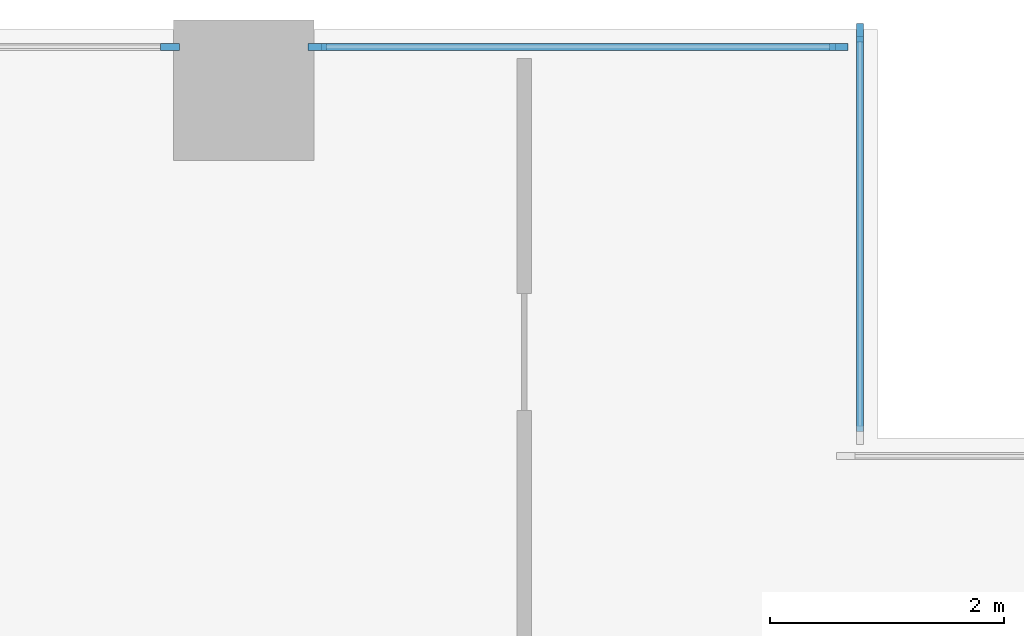
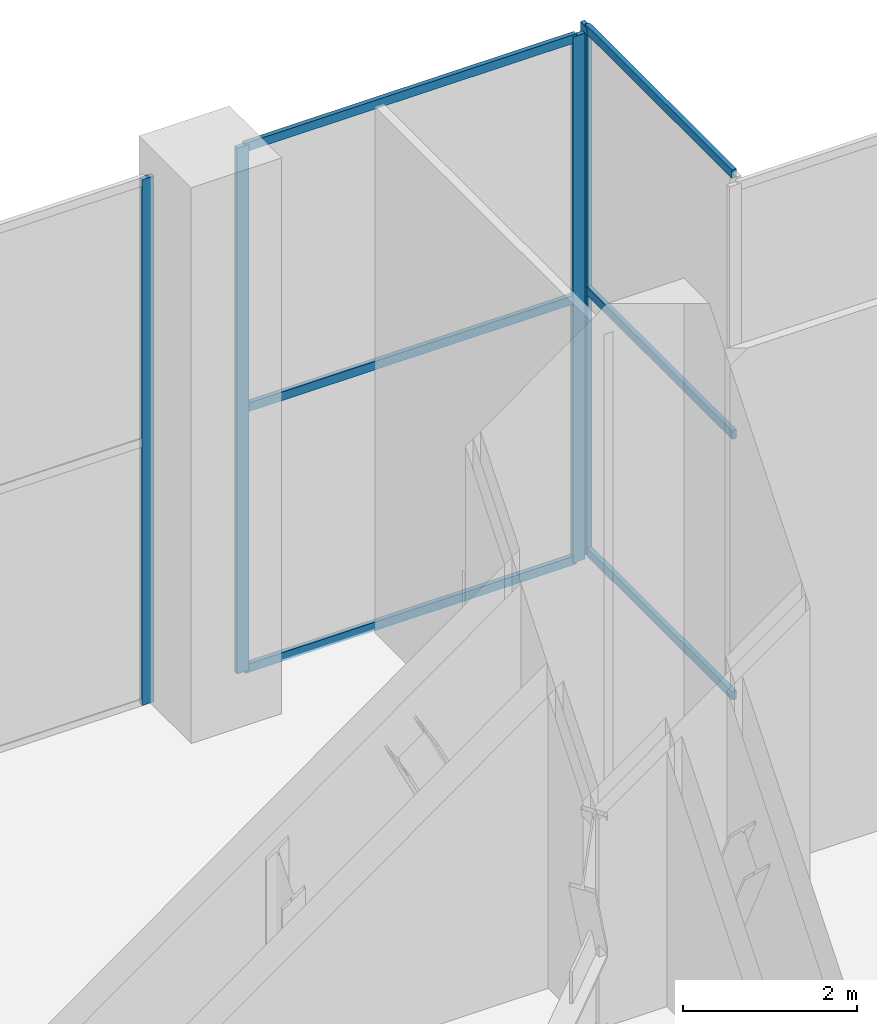
# One storey, part 10 of 21: 10 members, 3 elements without a shape of their own.
"""IFC4 building model written with IfcOpenShell, lengths in metres."""

import ifcopenshell
import ifcopenshell.guid

model = None  # the IFC model being written
_history = None  # IfcOwnerHistory: only IFC2X3 demands one
_inside = {}  # id of a spatial element -> (the spatial element, [elements in it])
_under = {}  # id of a project, library or spatial element -> (it, [spatial elements below it])
_declared = {}  # id of a project -> (the project, [libraries it declares])
_typed = {}  # id of a type object -> (the type object, [elements of that type])
_made_of = {}  # id of a material, layer set ... -> (it, [elements and type objects made of it])


def new_model(schema):
    """Start an empty IFC model of exactly this schema.

    Asked for "IFC4X3", IfcOpenShell would pick the latest addendum, in which some entities
    have other attributes; the version numbers below select the first issue.
    IFC2X3 requires an IfcOwnerHistory on every rooted entity: one is made here for all.
    """
    global model, _history
    if schema == "IFC4X3":
        model = ifcopenshell.file(schema_version=(4, 3, 0, 0))
    else:
        model = ifcopenshell.file(schema=schema)
    _inside.clear()
    _under.clear()
    _declared.clear()
    _typed.clear()
    _made_of.clear()
    _history = None
    if model.schema == "IFC2X3":
        org = make("IfcOrganization", Name="unknown")
        user = make(
            "IfcPersonAndOrganization",
            ThePerson=make("IfcPerson", FamilyName="unknown"),
            TheOrganization=org,
        )
        app = make(
            "IfcApplication",
            ApplicationDeveloper=org,
            Version="unknown",
            ApplicationFullName="unknown",
            ApplicationIdentifier="unknown",
        )
        _history = make(
            "IfcOwnerHistory",
            OwningUser=user,
            OwningApplication=app,
            ChangeAction="ADDED",
            CreationDate=0,
        )
    return model


def make(cls, **values):
    """One entity of the class cls with the attributes given. An attribute that is None is left unset."""
    return model.create_entity(
        cls, **{name: value for name, value in values.items() if value is not None}
    )


def rooted(cls, **values):
    """An entity with a GlobalId (a new one), such as an element, a storey or a relation."""
    return make(cls, GlobalId=ifcopenshell.guid.new(), OwnerHistory=_history, **values)


def si_unit(unit_type, name, prefix=None):
    """IfcSIUnit, for example si_unit("LENGTHUNIT", "METRE", prefix="MILLI")."""
    return make("IfcSIUnit", UnitType=unit_type, Prefix=prefix, Name=name)


def assignment(units):
    """IfcUnitAssignment: the units of a project."""
    return None if units is None else make("IfcUnitAssignment", Units=units)


def point(xyz):
    """IfcCartesianPoint."""
    return None if xyz is None else make("IfcCartesianPoint", Coordinates=xyz)


def direction(xyz):
    """IfcDirection."""
    return None if xyz is None else make("IfcDirection", DirectionRatios=xyz)


def frame(location, z_axis=None, x_axis=None):
    """IfcAxis2Placement3D, a coordinate frame: its origin and axes. An axis left out is left unset."""
    return make(
        "IfcAxis2Placement3D",
        Location=point(location),
        Axis=direction(z_axis),
        RefDirection=direction(x_axis),
    )


def frame_2d(location, x_axis=None):
    """IfcAxis2Placement2D, a coordinate frame in the plane: its origin and x axis."""
    return make(
        "IfcAxis2Placement2D", Location=point(location), RefDirection=direction(x_axis)
    )


def origin():
    """The frame at (0, 0, 0) with its axes left unset."""
    return frame((0.0, 0.0, 0.0))


def origin_2d():
    """The frame at (0, 0) in the plane with its x axis left unset."""
    return frame_2d((0.0, 0.0))


def place(relative_to, where):
    """IfcLocalPlacement: puts the frame where relative to a parent placement (None: the world)."""
    return make(
        "IfcLocalPlacement", PlacementRelTo=relative_to, RelativePlacement=where
    )


def context(
    kind, dimensions, precision=None, world=None, true_north=None, identifier=None
):
    """IfcGeometricRepresentationContext, for example the 3D "Model" context."""
    return make(
        "IfcGeometricRepresentationContext",
        ContextIdentifier=identifier,
        ContextType=kind,
        CoordinateSpaceDimension=dimensions,
        Precision=precision,
        WorldCoordinateSystem=world,
        TrueNorth=true_north,
    )


def subcontext(parent, identifier, kind, view, scale=None):
    """IfcGeometricRepresentationSubContext, for example "Body" below "Model"."""
    return make(
        "IfcGeometricRepresentationSubContext",
        ContextIdentifier=identifier,
        ContextType=kind,
        ParentContext=parent,
        TargetScale=scale,
        TargetView=view,
    )


def project(units=None, contexts=None):
    """IfcProject with its units and contexts."""
    return rooted(
        "IfcProject",
        Name="project",
        RepresentationContexts=contexts,
        UnitsInContext=assignment(units),
    )


def spatial(cls, under=None, at=None, **own):
    """A site, building, storey or space (cls), placed at a placement, below another one or the project."""
    s = rooted(cls, ObjectPlacement=at, **own)
    if under is not None:
        _under.setdefault(under.id(), (under, []))[1].append(s)
    return s


def profile(cls, at=None, kind="AREA", **sizes):
    """A parametric profile (cls). Its sizes go by their IFC names, for example OverallWidth=200.0."""
    return make(cls, ProfileType=kind, Position=at, **sizes)


def rectangle(**sizes):
    """IfcRectangleProfileDef."""
    return profile("IfcRectangleProfileDef", **sizes)


def extrude(swept, where, along, depth):
    """IfcExtrudedAreaSolid: the profile swept, set in the frame where, extruded along a direction by depth."""
    return make(
        "IfcExtrudedAreaSolid",
        SweptArea=swept,
        Position=where,
        ExtrudedDirection=direction(along),
        Depth=depth,
    )


def shape(context_of_items, identifier, shape_type, items):
    """IfcShapeRepresentation: the items that make up one representation, for example the "Body"."""
    return make(
        "IfcShapeRepresentation",
        ContextOfItems=context_of_items,
        RepresentationIdentifier=identifier,
        RepresentationType=shape_type,
        Items=items,
    )


def material(Name=None, Category=None):
    """IfcMaterial."""
    return make("IfcMaterial", Name=Name, Category=Category)


def material_profile(
    of_material, cross_section, Name=None, Category=None, Priority=None
):
    """IfcMaterialProfile: a cross section and its material."""
    return make(
        "IfcMaterialProfile",
        Name=Name,
        Material=of_material,
        Profile=cross_section,
        Priority=Priority,
        Category=Category,
    )


def profile_set(profiles, Name=None, composite=None):
    """IfcMaterialProfileSet."""
    return make(
        "IfcMaterialProfileSet",
        Name=Name,
        MaterialProfiles=profiles,
        CompositeProfile=composite,
    )


def made_of(thing, what):
    """Note that an element or type object is made of a material, layer set ...; save() writes the relation."""
    if what is not None:
        _made_of.setdefault(what.id(), (what, []))[1].append(thing)
    return thing


def type_object(cls, material=None, **own):
    """A type object (cls), such as IfcWallType, which elements share."""
    return made_of(rooted(cls, **own), material)


def element(
    cls,
    number,
    at=None,
    inside=None,
    cuts=None,
    type_object=None,
    material=None,
    context=None,
    identifier="Body",
    shape_type=None,
    held_by="IfcProductDefinitionShape",
    body=None,
    shapes=None,
    **own,
):
    """One element of the class cls, such as IfcWall. Its Tag is "e" and its number.

    at: its placement. inside: the storey or other place that contains it. cuts: it is an
    opening in that element (IfcRelVoidsElement). A single representation is given by context,
    identifier, shape_type and body (its items); several are given by shapes. held_by: the class
    of the entity that holds the representations. save() writes the other relations.
    """
    e = rooted(cls, Tag="e%d" % number, ObjectPlacement=at, **own)
    if body is not None:
        shapes = [shape(context, identifier, shape_type, body)]
    if shapes is not None:
        e.Representation = make(held_by, Representations=shapes)
    if inside is not None:
        _inside.setdefault(inside.id(), (inside, []))[1].append(e)
    if cuts is not None:
        rooted(
            "IfcRelVoidsElement", RelatingBuildingElement=cuts, RelatedOpeningElement=e
        )
    if type_object is not None:
        _typed.setdefault(type_object.id(), (type_object, []))[1].append(e)
    return made_of(e, material)


def aggregate(whole, parts):
    """IfcRelAggregates: a whole, such as a stair, and the parts it consists of."""
    return rooted("IfcRelAggregates", RelatingObject=whole, RelatedObjects=parts)


def save(model, path):
    """Write the relations noted so far, then the file.

    IfcRelAggregates (storeys below a building ...), IfcRelContainedInSpatialStructure (elements
    in a storey), IfcRelDefinesByType, IfcRelAssociatesMaterial and IfcRelDeclares: one each for
    every whole, place, type object, material and project.
    """
    for whole, parts in _under.values():
        aggregate(whole, parts)
    for where, things in _inside.values():
        rooted(
            "IfcRelContainedInSpatialStructure",
            RelatedElements=things,
            RelatingStructure=where,
        )
    for kind, things in _typed.values():
        rooted("IfcRelDefinesByType", RelatedObjects=things, RelatingType=kind)
    for what, things in _made_of.values():
        rooted("IfcRelAssociatesMaterial", RelatedObjects=things, RelatingMaterial=what)
    for by, libraries in _declared.values():
        rooted("IfcRelDeclares", RelatingContext=by, RelatedDefinitions=libraries)
    model.write(path)


model = new_model("IFC4")

# Units and contexts
model_context = context("Model", 3, precision=1e-05, world=origin(), true_north=direction((0.0, 1.0)))
body_context = subcontext(model_context, "Body", "Model", "MODEL_VIEW")
ifc_project = project(units=[si_unit("LENGTHUNIT", "METRE"), si_unit("AREAUNIT", "SQUARE_METRE"), si_unit("VOLUMEUNIT", "CUBIC_METRE"), si_unit("PLANEANGLEUNIT", "RADIAN"), si_unit("MASSUNIT", "GRAM", prefix="KILO")], contexts=[model_context])

# Site, building, storey
site_placement = place(None, origin())
site = spatial("IfcSite", under=ifc_project, at=site_placement, CompositionType="ELEMENT")
building_placement = place(site_placement, origin())
building = spatial("IfcBuilding", under=site, at=building_placement, Name="Khepri Terraces", CompositionType="ELEMENT")
storey_placement = place(building_placement, frame((0.0, 0.0, 126.0)))
storey = spatial("IfcBuildingStorey", under=building, at=storey_placement, Name="L30", CompositionType="ELEMENT", Elevation=126.0)

# Curtain wall, member
ifc_material_1 = material(Name="Anodised aluminium bronze curtain wall", Category="aluminium")
curtain_wall_type = type_object("IfcCurtainWallType", Name="CW-SYS3-SKY", PredefinedType="NOTDEFINED", material=ifc_material_1)
curtain_wall_1_placement = place(storey_placement, origin())
curtain_wall_1 = element("IfcCurtainWall", 1, at=curtain_wall_1_placement, inside=storey, type_object=curtain_wall_type, Name="Curtain wall CW3 L30 E", PredefinedType="NOTDEFINED")
ifc_material_2 = material(Name="Anodised aluminium bronze", Category="aluminium")
ifc_material_profile_1 = material_profile(ifc_material_2, rectangle(XDim=0.06005859375, YDim=0.159912109375, at=origin_2d()), Name="Anodised aluminium bronze", Category="aluminium")
ifc_profile_set_1 = profile_set([ifc_material_profile_1], Name="Anodised aluminium bronze")
member_type_1 = type_object("IfcMemberType", Name="CW-MULLION-60x160", PredefinedType="MULLION", material=ifc_profile_set_1)
member_1_placement = place(storey_placement, frame((22.070068359375, 25.68994140625, 0.0), z_axis=(0.0, 0.0, 1.0), x_axis=(-1.0, 0.0, 0.0)))
member_1 = element("IfcMember", 2, at=member_1_placement, type_object=member_type_1, Name="CW3 mullion 2", PredefinedType="MULLION", context=body_context, shape_type="SweptSolid", body=[
    extrude(rectangle(XDim=0.06005859375, YDim=0.159912109375, at=origin_2d()), origin(), (0.0, 0.0, 1.0), 7.3798828125),
])

# Curtain wall, members
curtain_wall_2_placement = place(storey_placement, origin())
curtain_wall_2 = element("IfcCurtainWall", 3, at=curtain_wall_2_placement, inside=storey, type_object=curtain_wall_type, Name="Curtain wall CW3 L30 N", PredefinedType="NOTDEFINED")
member_2_placement = place(storey_placement, frame((21.889892578125, 25.570068359375, 0.0), z_axis=(0.0, 0.0, 1.0), x_axis=(0.0, -1.0, 0.0)))
member_2 = element("IfcMember", 4, at=member_2_placement, type_object=member_type_1, Name="CW3 mullion 1", PredefinedType="MULLION", context=body_context, shape_type="SweptSolid", body=[
    extrude(rectangle(XDim=0.06005859375, YDim=0.159912109375, at=origin_2d()), origin(), (0.0, 0.0, 1.0), 7.3798828125),
])
member_3_placement = place(storey_placement, frame((17.429931640625, 25.570068359375, 0.0), z_axis=(0.0, 0.0, 1.0), x_axis=(0.0, -1.0, 0.0)))
member_3 = element("IfcMember", 5, at=member_3_placement, type_object=member_type_1, Name="CW3 mullion 2", PredefinedType="MULLION", context=body_context, shape_type="SweptSolid", body=[
    extrude(rectangle(XDim=0.06005859375, YDim=0.159912109375, at=origin_2d()), origin(), (0.0, 0.0, 1.0), 7.3798828125),
])

# Curtain wall, member
curtain_wall_3_placement = place(storey_placement, origin())
curtain_wall_3 = element("IfcCurtainWall", 6, at=curtain_wall_3_placement, inside=storey, type_object=curtain_wall_type, Name="Curtain wall CW3 L30 N", PredefinedType="NOTDEFINED")
member_4_placement = place(storey_placement, frame((16.169921875, 25.570068359375, 0.0), z_axis=(0.0, 0.0, 1.0), x_axis=(0.0, -1.0, 0.0)))
member_4 = element("IfcMember", 7, at=member_4_placement, type_object=member_type_1, Name="CW3 mullion 1", PredefinedType="MULLION", context=body_context, shape_type="SweptSolid", body=[
    extrude(rectangle(XDim=0.06005859375, YDim=0.159912109375, at=origin_2d()), origin(), (0.0, 0.0, 1.0), 7.3798828125),
])
aggregate(curtain_wall_3, [member_4])

# Member
ifc_material_profile_2 = material_profile(ifc_material_2, rectangle(XDim=0.06005859375, YDim=0.1201171875, at=origin_2d()), Name="Anodised aluminium bronze", Category="aluminium")
ifc_profile_set_2 = profile_set([ifc_material_profile_2], Name="Anodised aluminium bronze")
member_type_2 = type_object("IfcMemberType", Name="CW-TRANSOM-60x120", PredefinedType="USERDEFINED", material=ifc_profile_set_2)
member_5_placement = place(storey_placement, frame((22.070068359375, 22.280029296875, 0.030029296875), z_axis=(0.0, 1.0, 0.0), x_axis=(-1.0, 0.0, 0.0)))
member_5 = element("IfcMember", 8, at=member_5_placement, type_object=member_type_2, Name="CW3 transom 1.1", ObjectType="TRANSOM", PredefinedType="USERDEFINED", context=body_context, shape_type="SweptSolid", body=[
    extrude(rectangle(XDim=0.06005859375, YDim=0.1201171875, at=origin_2d()), origin(), (0.0, 0.0, 1.0), 3.3798828125),
])

member_6_placement = place(storey_placement, frame((22.070068359375, 22.280029296875, 3.68994140625), z_axis=(0.0, 1.0, 0.0), x_axis=(-1.0, 0.0, 0.0)))
member_6 = element("IfcMember", 9, at=member_6_placement, type_object=member_type_2, Name="CW3 transom 1.2", ObjectType="TRANSOM", PredefinedType="USERDEFINED", context=body_context, shape_type="SweptSolid", body=[
    extrude(rectangle(XDim=0.06005859375, YDim=0.1201171875, at=origin_2d()), origin(), (0.0, 0.0, 1.0), 3.3798828125),
])

member_7_placement = place(storey_placement, frame((22.070068359375, 22.280029296875, 7.35009765625), z_axis=(0.0, 1.0, 0.0), x_axis=(-1.0, 0.0, 0.0)))
member_7 = element("IfcMember", 10, at=member_7_placement, type_object=member_type_2, Name="CW3 transom 1.3", ObjectType="TRANSOM", PredefinedType="USERDEFINED", context=body_context, shape_type="SweptSolid", body=[
    extrude(rectangle(XDim=0.06005859375, YDim=0.1201171875, at=origin_2d()), origin(), (0.0, 0.0, 1.0), 3.3798828125),
])

aggregate(curtain_wall_1, [member_1, member_5, member_6, member_7])

member_8_placement = place(storey_placement, frame((21.860107421875, 25.570068359375, 0.030029296875), z_axis=(-1.0, 0.0, 0.0), x_axis=(0.0, -1.0, 0.0)))
member_8 = element("IfcMember", 11, at=member_8_placement, type_object=member_type_2, Name="CW3 transom 1.1", ObjectType="TRANSOM", PredefinedType="USERDEFINED", context=body_context, shape_type="SweptSolid", body=[
    extrude(rectangle(XDim=0.06005859375, YDim=0.1201171875, at=origin_2d()), origin(), (0.0, 0.0, 1.0), 4.400146484375),
])

member_9_placement = place(storey_placement, frame((21.860107421875, 25.570068359375, 3.68994140625), z_axis=(-1.0, 0.0, 0.0), x_axis=(0.0, -1.0, 0.0)))
member_9 = element("IfcMember", 12, at=member_9_placement, type_object=member_type_2, Name="CW3 transom 1.2", ObjectType="TRANSOM", PredefinedType="USERDEFINED", context=body_context, shape_type="SweptSolid", body=[
    extrude(rectangle(XDim=0.06005859375, YDim=0.1201171875, at=origin_2d()), origin(), (0.0, 0.0, 1.0), 4.400146484375),
])

member_10_placement = place(storey_placement, frame((21.860107421875, 25.570068359375, 7.35009765625), z_axis=(-1.0, 0.0, 0.0), x_axis=(0.0, -1.0, 0.0)))
member_10 = element("IfcMember", 13, at=member_10_placement, type_object=member_type_2, Name="CW3 transom 1.3", ObjectType="TRANSOM", PredefinedType="USERDEFINED", context=body_context, shape_type="SweptSolid", body=[
    extrude(rectangle(XDim=0.06005859375, YDim=0.1201171875, at=origin_2d()), origin(), (0.0, 0.0, 1.0), 4.400146484375),
])

aggregate(curtain_wall_2, [member_2, member_3, member_8, member_9, member_10])

save(model, "model.ifc")
